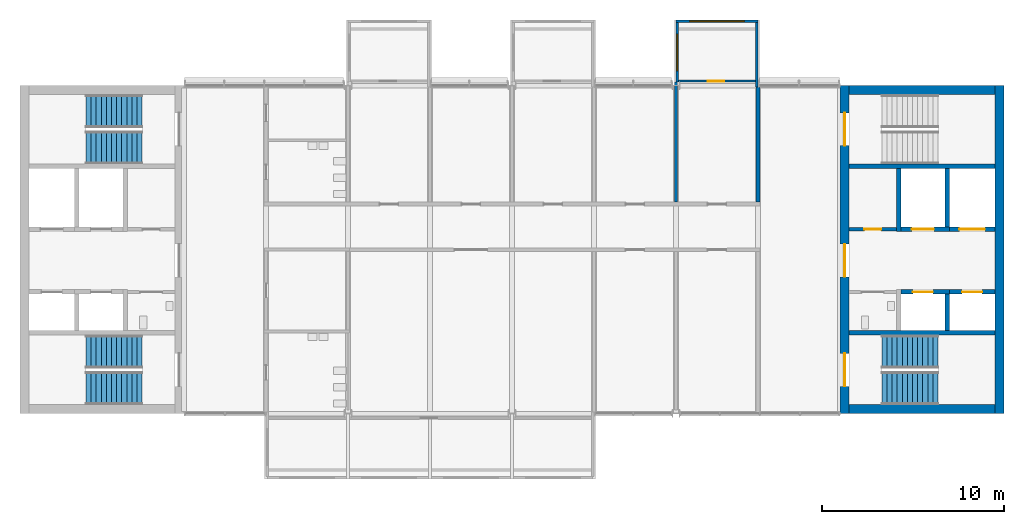
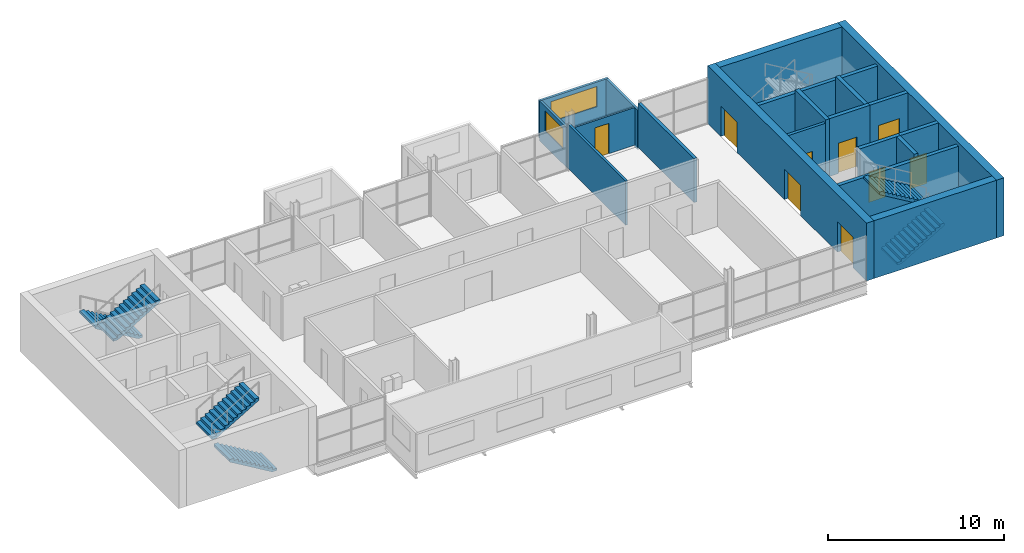
# One storey, part 7 of 11: 20 walls, 9 doors, 6 stair flights, 2 windows, 11 openings, 3 elements without a shape of their own.
"""IFC4 building model written with IfcOpenShell, lengths in metres."""

from ifc_helpers import new_model, si_unit, direction, frame, frame_2d, origin, place, context, subcontext, project, spatial, polyline, rectangle, outline, extrude, material, layer, layer_set, type_object, element, fill, aggregate, save


model = new_model("IFC4")

# Units and contexts
model_context = context("Model", 3, precision=1e-05, world=origin(), true_north=direction((0.0, 1.0)))
body_context = subcontext(model_context, "Body", "Model", "MODEL_VIEW")
ifc_project = project(units=[si_unit("LENGTHUNIT", "METRE"), si_unit("AREAUNIT", "SQUARE_METRE"), si_unit("VOLUMEUNIT", "CUBIC_METRE"), si_unit("PLANEANGLEUNIT", "RADIAN"), si_unit("MASSUNIT", "GRAM", prefix="KILO")], contexts=[model_context])

# Site, building, storey
site_placement = place(None, origin())
site = spatial("IfcSite", under=ifc_project, at=site_placement, CompositionType="ELEMENT")
building_placement = place(site_placement, origin())
building = spatial("IfcBuilding", under=site, at=building_placement, Name="Corbel Yard City Hall", CompositionType="ELEMENT")
storey_placement = place(building_placement, frame((0.0, 0.0, 39.199951171875)))
storey = spatial("IfcBuildingStorey", under=building, at=storey_placement, Name="L09", CompositionType="ELEMENT", Elevation=39.199951171875)

# Walls
ifc_material_1 = material(Name="Concrete N40 (40 MPa)", Category="concrete")
ifc_layer_1 = layer(ifc_material_1, 0.25)
ifc_layer_set_1 = layer_set([ifc_layer_1], Name="Concrete N40 (40 MPa)")
wall_type_1 = type_object("IfcWallType", Name="IW2", PredefinedType="SOLIDWALL", material=ifc_layer_set_1)
for number, where, z_axis, x_axis, name in (
    (1, (45.5, 103.425048828125, 0.0), (0.0, 0.0, 1.0), (1.0, 0.0, 0.0), "Stair enclosure wall"),
    (2, (45.5, 112.574951171875, 0.0), (0.0, 0.0, 1.0), (1.0, 0.0, 0.0), "Stair enclosure wall"),
):
    element("IfcWall", number, at=place(storey_placement, frame(where, z_axis=z_axis, x_axis=x_axis)), inside=storey, type_object=wall_type_1, Name=name, PredefinedType="SOLIDWALL", context=body_context, shape_type="SweptSolid", body=[
        extrude(rectangle(XDim=8.0, YDim=0.25, at=frame_2d((4.0, 0.0))), origin(), (0.0, 0.0, 1.0), 3.75),
    ])
wall_1_placement = place(storey_placement, frame((50.875, 103.550048828125, 0.0), z_axis=(0.0, 0.0, 1.0), x_axis=(0.0, 1.0, 0.0)))
element("IfcWall", 3, at=wall_1_placement, inside=storey, type_object=wall_type_1, Name="Lift LP25 shaft wall", PredefinedType="SOLIDWALL", context=body_context, shape_type="SweptSolid", body=[
    extrude(rectangle(XDim=2.0, YDim=0.25, at=frame_2d((1.0, 0.0))), origin(), (0.0, 0.0, 1.0), 4.0),
])

# Wall, opening, door
wall_2_placement = place(storey_placement, frame((48.35009765625, 105.675048828125, 0.0), z_axis=(0.0, 0.0, 1.0), x_axis=(1.0, 0.0, 0.0)))
wall_2 = element("IfcWall", 4, at=wall_2_placement, inside=storey, type_object=wall_type_1, Name="Lift LP25 shaft wall", PredefinedType="SOLIDWALL", context=body_context, shape_type="SweptSolid", body=[
    extrude(rectangle(XDim=2.64990234375, YDim=0.25, at=frame_2d((1.324951171875, 0.0))), origin(), (0.0, 0.0, 1.0), 4.0),
])
opening_1_placement = place(wall_2_placement, frame((0.64990234375, 0.0, 0.0)))
opening_1 = element("IfcOpeningElement", 5, at=opening_1_placement, cuts=wall_2, Name="Opening T2-009", PredefinedType="OPENING", context=body_context, shape_type="SweptSolid", body=[
    extrude(rectangle(XDim=1.10009765625, YDim=2.10009765625, at=frame_2d((0.550048828125, 1.050048828125))), frame((0.0, 0.135009765625, 0.0), z_axis=(0.0, -1.0, 0.0), x_axis=(1.0, 0.0, 0.0)), (0.0, 0.0, 1.0), 0.27001953125),
])
ifc_material_2 = material(Name="Stainless steel Grade 316", Category="steel")
door_type_1 = type_object("IfcDoorType", Name="LD1", OperationType="DOUBLE_DOOR_SLIDING", PredefinedType="DOOR", material=ifc_material_2)
door_1_placement = place(opening_1_placement, origin())
door_1 = element("IfcDoor", 6, at=door_1_placement, inside=storey, type_object=door_type_1, Name="Lift LP25 landing door", OperationType="DOUBLE_DOOR_SLIDING", OverallHeight=2.10009765625, OverallWidth=1.10009765625, PredefinedType="DOOR", context=body_context, shape_type="SweptSolid", body=[
    extrude(rectangle(XDim=1.10009765625, YDim=2.10009765625, at=frame_2d((0.550048828125, 1.050048828125))), frame((0.0, 0.02490234375, 0.0), z_axis=(0.0, -1.0, 0.0), x_axis=(1.0, 0.0, 0.0)), (0.0, 0.0, 1.0), 0.050048828125),
])
fill(opening_1, door_1)

wall_3_placement = place(storey_placement, frame((51.0, 105.675048828125, 0.0), z_axis=(0.0, 0.0, 1.0), x_axis=(1.0, 0.0, 0.0)))
wall_3 = element("IfcWall", 7, at=wall_3_placement, inside=storey, type_object=wall_type_1, Name="Lift LP26 shaft wall", PredefinedType="SOLIDWALL", context=body_context, shape_type="SweptSolid", body=[
    extrude(rectangle(XDim=2.5, YDim=0.25, at=frame_2d((1.25, 0.0))), origin(), (0.0, 0.0, 1.0), 4.0),
])
opening_2_placement = place(wall_3_placement, frame((0.699951171875, 0.0, 0.0)))
opening_2 = element("IfcOpeningElement", 8, at=opening_2_placement, cuts=wall_3, Name="Opening T2-010", PredefinedType="OPENING", context=body_context, shape_type="SweptSolid", body=[
    extrude(rectangle(XDim=1.10009765625, YDim=2.10009765625, at=frame_2d((0.550048828125, 1.050048828125))), frame((0.0, 0.135009765625, 0.0), z_axis=(0.0, -1.0, 0.0), x_axis=(1.0, 0.0, 0.0)), (0.0, 0.0, 1.0), 0.27001953125),
])
door_2_placement = place(opening_2_placement, origin())
door_2 = element("IfcDoor", 9, at=door_2_placement, inside=storey, type_object=door_type_1, Name="Lift LP26 landing door", OperationType="DOUBLE_DOOR_SLIDING", OverallHeight=2.10009765625, OverallWidth=1.10009765625, PredefinedType="DOOR", context=body_context, shape_type="SweptSolid", body=[
    extrude(rectangle(XDim=1.10009765625, YDim=2.10009765625, at=frame_2d((0.550048828125, 1.050048828125))), frame((0.0, 0.02490234375, 0.0), z_axis=(0.0, -1.0, 0.0), x_axis=(1.0, 0.0, 0.0)), (0.0, 0.0, 1.0), 0.050048828125),
])
fill(opening_2, door_2)

# Walls
wall_4_placement = place(storey_placement, frame((48.22509765625, 109.0, 0.0), z_axis=(0.0, 0.0, 1.0), x_axis=(0.0, 1.0, 0.0)))
element("IfcWall", 10, at=wall_4_placement, inside=storey, type_object=wall_type_1, Name="Lift LF2 shaft wall", PredefinedType="SOLIDWALL", context=body_context, shape_type="SweptSolid", body=[
    extrude(rectangle(XDim=3.449951171875, YDim=0.25, at=frame_2d((1.72509765625, 0.0))), origin(), (0.0, 0.0, 1.0), 4.0),
])
wall_5_placement = place(storey_placement, frame((50.875, 109.25, 0.0), z_axis=(0.0, 0.0, 1.0), x_axis=(0.0, 1.0, 0.0)))
element("IfcWall", 11, at=wall_5_placement, inside=storey, type_object=wall_type_1, Name="Lift LF2 shaft wall", PredefinedType="SOLIDWALL", context=body_context, shape_type="SweptSolid", body=[
    extrude(rectangle(XDim=3.199951171875, YDim=0.25, at=frame_2d((1.60009765625, 0.0))), origin(), (0.0, 0.0, 1.0), 4.0),
])

# Wall, opening, door
wall_6_placement = place(storey_placement, frame((48.35009765625, 109.125, 0.0), z_axis=(0.0, 0.0, 1.0), x_axis=(1.0, 0.0, 0.0)))
wall_6 = element("IfcWall", 12, at=wall_6_placement, inside=storey, type_object=wall_type_1, Name="Lift LF2 shaft wall", PredefinedType="SOLIDWALL", context=body_context, shape_type="SweptSolid", body=[
    extrude(rectangle(XDim=2.64990234375, YDim=0.25, at=frame_2d((1.324951171875, 0.0))), origin(), (0.0, 0.0, 1.0), 4.0),
])
opening_3_placement = place(wall_6_placement, frame((0.60009765625, 0.0, 0.0)))
opening_3 = element("IfcOpeningElement", 13, at=opening_3_placement, cuts=wall_6, Name="Opening T2-011", PredefinedType="OPENING", context=body_context, shape_type="SweptSolid", body=[
    extrude(rectangle(XDim=1.199951171875, YDim=2.10009765625, at=frame_2d((0.60009765625, 1.050048828125))), frame((0.0, 0.135009765625, 0.0), z_axis=(0.0, -1.0, 0.0), x_axis=(1.0, 0.0, 0.0)), (0.0, 0.0, 1.0), 0.27001953125),
])
door_type_2 = type_object("IfcDoorType", Name="LD2", OperationType="DOUBLE_DOOR_SLIDING", PredefinedType="DOOR", material=ifc_material_2)
door_3_placement = place(opening_3_placement, origin())
door_3 = element("IfcDoor", 14, at=door_3_placement, inside=storey, type_object=door_type_2, Name="Lift LF2 landing door", OperationType="DOUBLE_DOOR_SLIDING", OverallHeight=2.10009765625, OverallWidth=1.199951171875, PredefinedType="DOOR", context=body_context, shape_type="SweptSolid", body=[
    extrude(rectangle(XDim=1.199951171875, YDim=2.10009765625, at=frame_2d((0.60009765625, 1.050048828125))), frame((0.0, 0.02490234375, 0.0), z_axis=(0.0, -1.0, 0.0), x_axis=(1.0, 0.0, 0.0)), (0.0, 0.0, 1.0), 0.050048828125),
])
fill(opening_3, door_3)

wall_7_placement = place(storey_placement, frame((51.0, 109.125, 0.0), z_axis=(0.0, 0.0, 1.0), x_axis=(1.0, 0.0, 0.0)))
wall_7 = element("IfcWall", 15, at=wall_7_placement, inside=storey, type_object=wall_type_1, Name="Lift LG1 shaft wall", PredefinedType="SOLIDWALL", context=body_context, shape_type="SweptSolid", body=[
    extrude(rectangle(XDim=2.5, YDim=0.25, at=frame_2d((1.25, 0.0))), origin(), (0.0, 0.0, 1.0), 4.0),
])
opening_4_placement = place(wall_7_placement, frame((0.550048828125, 0.0, 0.0)))
opening_4 = element("IfcOpeningElement", 16, at=opening_4_placement, cuts=wall_7, Name="Opening T2-012", PredefinedType="OPENING", context=body_context, shape_type="SweptSolid", body=[
    extrude(rectangle(XDim=1.39990234375, YDim=2.39990234375, at=frame_2d((0.699951171875, 1.199951171875))), frame((0.0, 0.135009765625, 0.0), z_axis=(0.0, -1.0, 0.0), x_axis=(1.0, 0.0, 0.0)), (0.0, 0.0, 1.0), 0.27001953125),
])
door_type_3 = type_object("IfcDoorType", Name="LD3", OperationType="DOUBLE_DOOR_SLIDING", PredefinedType="DOOR", material=ifc_material_2)
door_4_placement = place(opening_4_placement, origin())
door_4 = element("IfcDoor", 17, at=door_4_placement, inside=storey, type_object=door_type_3, Name="Lift LG1 landing door", OperationType="DOUBLE_DOOR_SLIDING", OverallHeight=2.39990234375, OverallWidth=1.39990234375, PredefinedType="DOOR", context=body_context, shape_type="SweptSolid", body=[
    extrude(rectangle(XDim=1.39990234375, YDim=2.39990234375, at=frame_2d((0.699951171875, 1.199951171875))), frame((0.0, 0.02490234375, 0.0), z_axis=(0.0, -1.0, 0.0), x_axis=(1.0, 0.0, 0.0)), (0.0, 0.0, 1.0), 0.050048828125),
])
fill(opening_4, door_4)

# Wall, opening, window
ifc_material_3 = material(Name="Anodised aluminium", Category="aluminium")
ifc_layer_2 = layer(ifc_material_3, 0.02392578125)
ifc_material_4 = material(Name="Steel Grade G550 (550 MPa yield)", Category="steel")
ifc_layer_3 = layer(ifc_material_4, 0.10009765625)
ifc_material_5 = material(Name="Gypsum plasterboard", Category="gypsum")
ifc_layer_4 = layer(ifc_material_5, 0.02587890625)
ifc_layer_set_2 = layer_set([ifc_layer_2, ifc_layer_3, ifc_layer_4], Name="Steel Grade G550 (550 MPa yield)")
wall_type_2 = type_object("IfcWallType", Name="PD1", PredefinedType="SOLIDWALL", material=ifc_layer_set_2)
wall_8_placement = place(storey_placement, frame((36.0, 120.52490234375, 0.0), z_axis=(0.0, 0.0, 1.0), x_axis=(1.0, 0.0, 0.0)))
wall_8 = element("IfcWall", 18, at=wall_8_placement, inside=storey, type_object=wall_type_2, Name="Pod outer wall L09", PredefinedType="SOLIDWALL", context=body_context, shape_type="SweptSolid", body=[
    extrude(rectangle(XDim=4.5, YDim=0.14990234375, at=frame_2d((2.25, 0.0))), origin(), (0.0, 0.0, 1.0), 2.60009765625),
])
opening_5_placement = place(wall_8_placement, frame((0.75, 0.0, 0.89990234375)))
opening_5 = element("IfcOpeningElement", 19, at=opening_5_placement, cuts=wall_8, Name="Opening WN5", PredefinedType="OPENING", context=body_context, shape_type="SweptSolid", body=[
    extrude(rectangle(XDim=3.0, YDim=1.39990234375, at=frame_2d((1.5, 0.699951171875))), frame((0.0, 0.0849609375, 0.0), z_axis=(0.0, -1.0, 0.0), x_axis=(1.0, 0.0, 0.0)), (0.0, 0.0, 1.0), 0.169921875),
])
ifc_material_6 = material(Name="Aluminium frame, double glazed low-e glass", Category="aluminium")
window_type_1 = type_object("IfcWindowType", Name="WN5", PartitioningType="SINGLE_PANEL", PredefinedType="WINDOW", material=ifc_material_6)
window_1_placement = place(opening_5_placement, origin())
window_1 = element("IfcWindow", 20, at=window_1_placement, inside=storey, type_object=window_type_1, Name="Window WN5 L09", OverallHeight=1.39990234375, OverallWidth=3.0, PartitioningType="SINGLE_PANEL", PredefinedType="WINDOW", context=body_context, shape_type="SweptSolid", body=[
    extrude(rectangle(XDim=3.0, YDim=1.39990234375, at=frame_2d((1.5, 0.699951171875))), frame((0.0, 0.030029296875, 0.0), z_axis=(0.0, -1.0, 0.0), x_axis=(1.0, 0.0, 0.0)), (0.0, 0.0, 1.0), 0.06005859375),
])
fill(opening_5, window_1)

# Wall, opening, door
ifc_layer_5 = layer(ifc_material_5, 0.01806640625)
ifc_layer_6 = layer(ifc_material_4, 0.06396484375)
ifc_layer_7 = layer(ifc_material_5, 0.01806640625)
ifc_layer_set_3 = layer_set([ifc_layer_5, ifc_layer_6, ifc_layer_7], Name="Steel Grade G550 (550 MPa yield)")
wall_type_3 = type_object("IfcWallType", Name="PD2", PredefinedType="PARTITIONING", material=ifc_layer_set_3)
wall_9_placement = place(storey_placement, frame((36.14990234375, 117.25, 0.0), z_axis=(0.0, 0.0, 1.0), x_axis=(1.0, 0.0, 0.0)))
wall_9 = element("IfcWall", 21, at=wall_9_placement, inside=storey, type_object=wall_type_3, Name="Pod inner wall L09", PredefinedType="PARTITIONING", context=body_context, shape_type="SweptSolid", body=[
    extrude(rectangle(XDim=4.2001953125, YDim=0.10009765625, at=frame_2d((2.10009765625, 0.0))), origin(), (0.0, 0.0, 1.0), 2.60009765625),
])
opening_6_placement = place(wall_9_placement, frame((1.60009765625, 0.0, 0.0)))
opening_6 = element("IfcOpeningElement", 22, at=opening_6_placement, cuts=wall_9, Name="Opening T2-004", PredefinedType="OPENING", context=body_context, shape_type="SweptSolid", body=[
    extrude(rectangle(XDim=0.89990234375, YDim=2.10009765625, at=frame_2d((0.449951171875, 1.050048828125))), frame((0.0, 0.06005859375, 0.0), z_axis=(0.0, -1.0, 0.0), x_axis=(1.0, 0.0, 0.0)), (0.0, 0.0, 1.0), 0.1201171875),
])
ifc_material_7 = material(Name="Timber, solid core", Category="wood")
door_type_4 = type_object("IfcDoorType", Name="XD6", OperationType="SINGLE_SWING_LEFT", PredefinedType="DOOR", material=ifc_material_7)
door_5_placement = place(opening_6_placement, origin())
door_5 = element("IfcDoor", 23, at=door_5_placement, inside=storey, type_object=door_type_4, Name="Pod door L09", OperationType="SINGLE_SWING_LEFT", OverallHeight=2.10009765625, OverallWidth=0.89990234375, PredefinedType="DOOR", context=body_context, shape_type="SweptSolid", body=[
    extrude(rectangle(XDim=0.89990234375, YDim=2.10009765625, at=frame_2d((0.449951171875, 1.050048828125))), frame((0.0, 0.02490234375, 0.0), z_axis=(0.0, -1.0, 0.0), x_axis=(1.0, 0.0, 0.0)), (0.0, 0.0, 1.0), 0.050048828125),
])
fill(opening_6, door_5)

# Wall, opening, window
ifc_layer_8 = layer(ifc_material_3, 0.02392578125)
ifc_layer_9 = layer(ifc_material_4, 0.10009765625)
ifc_layer_10 = layer(ifc_material_5, 0.02587890625)
ifc_layer_set_4 = layer_set([ifc_layer_8, ifc_layer_9, ifc_layer_10], Name="Steel Grade G550 (550 MPa yield)")
wall_type_4 = type_object("IfcWallType", Name="PD3", PredefinedType="SOLIDWALL", material=ifc_layer_set_4)
wall_10_placement = place(storey_placement, frame((36.074951171875, 120.449951171875, -0.14990234375), z_axis=(0.0, 0.0, 1.0), x_axis=(0.0, -1.0, 0.0)))
wall_10 = element("IfcWall", 24, at=wall_10_placement, inside=storey, type_object=wall_type_4, Name="Pod side wall L09", PredefinedType="SOLIDWALL", context=body_context, shape_type="SweptSolid", body=[
    extrude(rectangle(XDim=3.25, YDim=0.14990234375, at=frame_2d((1.625, 0.0))), origin(), (0.0, 0.0, 1.0), 2.75),
])
opening_7_placement = place(wall_10_placement, frame((0.625, 0.0, 1.050048828125)))
opening_7 = element("IfcOpeningElement", 25, at=opening_7_placement, cuts=wall_10, Name="Opening WN6", PredefinedType="OPENING", context=body_context, shape_type="SweptSolid", body=[
    extrude(rectangle(XDim=2.0, YDim=1.39990234375, at=frame_2d((1.0, 0.699951171875))), frame((0.0, 0.0849609375, 0.0), z_axis=(0.0, -1.0, 0.0), x_axis=(1.0, 0.0, 0.0)), (0.0, 0.0, 1.0), 0.169921875),
])
window_type_2 = type_object("IfcWindowType", Name="WN6", PartitioningType="SINGLE_PANEL", PredefinedType="WINDOW", material=ifc_material_6)
window_2_placement = place(opening_7_placement, origin())
window_2 = element("IfcWindow", 26, at=window_2_placement, inside=storey, type_object=window_type_2, Name="Window WN6 L09", OverallHeight=1.39990234375, OverallWidth=2.0, PartitioningType="SINGLE_PANEL", PredefinedType="WINDOW", context=body_context, shape_type="SweptSolid", body=[
    extrude(rectangle(XDim=2.0, YDim=1.39990234375, at=frame_2d((1.0, 0.699951171875))), frame((0.0, 0.030029296875, 0.0), z_axis=(0.0, -1.0, 0.0), x_axis=(1.0, 0.0, 0.0)), (0.0, 0.0, 1.0), 0.06005859375),
])
fill(opening_7, window_2)

# Walls
wall_11_placement = place(storey_placement, frame((40.425048828125, 120.449951171875, -0.14990234375), z_axis=(0.0, 0.0, 1.0), x_axis=(0.0, -1.0, 0.0)))
element("IfcWall", 27, at=wall_11_placement, inside=storey, type_object=wall_type_4, Name="Pod side wall L09", PredefinedType="SOLIDWALL", context=body_context, shape_type="SweptSolid", body=[
    extrude(rectangle(XDim=3.5400390625, YDim=0.14990234375, at=frame_2d((1.77001953125, 0.0))), origin(), (0.0, 0.0, 1.0), 2.75),
])
ifc_layer_11 = layer(ifc_material_5, 0.031982421875)
ifc_layer_12 = layer(ifc_material_4, 0.135986328125)
ifc_layer_13 = layer(ifc_material_5, 0.031982421875)
ifc_layer_set_5 = layer_set([ifc_layer_11, ifc_layer_12, ifc_layer_13], Name="Steel Grade G550 (550 MPa yield)")
wall_type_5 = type_object("IfcWallType", Name="PT2", PredefinedType="PARTITIONING", material=ifc_layer_set_5)
wall_12_placement = place(storey_placement, frame((40.5, 110.60009765625, 0.0), z_axis=(0.0, 0.0, 1.0), x_axis=(0.0, 1.0, 0.0)))
element("IfcWall", 28, at=wall_12_placement, inside=storey, type_object=wall_type_5, Name="Acoustic wall", PredefinedType="PARTITIONING", context=body_context, shape_type="SweptSolid", body=[
    extrude(rectangle(XDim=6.309814453125, YDim=0.199951171875, at=frame_2d((3.15478515625, 0.0))), origin(), (0.0, 0.0, 1.0), 3.050048828125),
])

# Wall, opening, door
ifc_material_8 = material(Name="Concrete block", Category="concrete")
ifc_layer_14 = layer(ifc_material_8, 0.18994140625)
ifc_layer_set_6 = layer_set([ifc_layer_14], Name="Concrete block")
wall_type_6 = type_object("IfcWallType", Name="PT4", PredefinedType="PARTITIONING", material=ifc_layer_set_6)
wall_13_placement = place(storey_placement, frame((45.5, 109.125, 0.0), z_axis=(0.0, 0.0, 1.0), x_axis=(1.0, 0.0, 0.0)))
wall_13 = element("IfcWall", 29, at=wall_13_placement, inside=storey, type_object=wall_type_6, Name="Riser wall", PredefinedType="PARTITIONING", context=body_context, shape_type="SweptSolid", body=[
    extrude(rectangle(XDim=2.60009765625, YDim=0.18994140625, at=frame_2d((1.300048828125, 0.0))), origin(), (0.0, 0.0, 1.0), 3.75),
])
opening_8_placement = place(wall_13_placement, frame((0.840087890625, 0.0, 0.0)))
opening_8 = element("IfcOpeningElement", 30, at=opening_8_placement, cuts=wall_13, Name="Opening T2-034", PredefinedType="OPENING", context=body_context, shape_type="SweptSolid", body=[
    extrude(rectangle(XDim=0.919921875, YDim=2.10009765625, at=frame_2d((0.4599609375, 1.050048828125))), frame((0.0, 0.10498046875, 0.0), z_axis=(0.0, -1.0, 0.0), x_axis=(1.0, 0.0, 0.0)), (0.0, 0.0, 1.0), 0.2099609375),
])
ifc_material_9 = material(Name="Steel Grade G250", Category="steel")
door_type_5 = type_object("IfcDoorType", Name="FS4", OperationType="SINGLE_SWING_LEFT", PredefinedType="DOOR", material=ifc_material_9)
door_6_placement = place(opening_8_placement, origin())
door_6 = element("IfcDoor", 31, at=door_6_placement, inside=storey, type_object=door_type_5, Name="Door riser East", OperationType="SINGLE_SWING_LEFT", OverallHeight=2.10009765625, OverallWidth=0.919921875, PredefinedType="DOOR", context=body_context, shape_type="SweptSolid", body=[
    extrude(rectangle(XDim=0.919921875, YDim=2.10009765625, at=frame_2d((0.4599609375, 1.050048828125))), frame((0.0, 0.02490234375, 0.0), z_axis=(0.0, -1.0, 0.0), x_axis=(1.0, 0.0, 0.0)), (0.0, 0.0, 1.0), 0.050048828125),
])
fill(opening_8, door_6)

# Wall
ifc_layer_15 = layer(ifc_material_5, 0.031982421875)
ifc_layer_16 = layer(ifc_material_4, 0.0859375)
ifc_layer_17 = layer(ifc_material_5, 0.031982421875)
ifc_layer_set_7 = layer_set([ifc_layer_15, ifc_layer_16, ifc_layer_17], Name="Steel Grade G550 (550 MPa yield)")
wall_type_7 = type_object("IfcWallType", Name="PT7", PredefinedType="PARTITIONING", material=ifc_layer_set_7)
wall_14_placement = place(storey_placement, frame((36.0, 110.60009765625, 0.0), z_axis=(0.0, 0.0, 1.0), x_axis=(0.0, 1.0, 0.0)))
element("IfcWall", 32, at=wall_14_placement, inside=storey, type_object=wall_type_7, Name="Suite partition", PredefinedType="PARTITIONING", context=body_context, shape_type="SweptSolid", body=[
    extrude(rectangle(XDim=6.599853515625, YDim=0.14990234375, at=frame_2d((3.2998046875, 0.0))), origin(), (0.0, 0.0, 1.0), 3.050048828125),
])

# Wall, openings, doors
ifc_material_10 = material(Name="Concrete N50 (50 MPa)", Category="concrete")
ifc_layer_18 = layer(ifc_material_10, 0.5)
ifc_layer_set_8 = layer_set([ifc_layer_18], Name="Concrete N50 (50 MPa)")
wall_type_8 = type_object("IfcWallType", Name="Trunk wall 500", PredefinedType="SHEAR", material=ifc_layer_set_8)
wall_15_placement = place(storey_placement, frame((45.25, 99.0, 0.0), z_axis=(0.0, 0.0, 1.0), x_axis=(0.0, 1.0, 0.0)))
wall_15 = element("IfcWall", 33, at=wall_15_placement, inside=storey, type_object=wall_type_8, Name="Trunk E west wall", PredefinedType="SHEAR", context=body_context, shape_type="SweptSolid", body=[
    extrude(rectangle(XDim=18.0, YDim=0.5, at=frame_2d((9.0, 0.0))), origin(), (0.0, 0.0, 1.0), 4.0),
])
opening_9_placement = place(wall_15_placement, frame((1.5, 0.0, 0.0)))
opening_9 = element("IfcOpeningElement", 34, at=opening_9_placement, cuts=wall_15, Name="Opening T2-030", PredefinedType="OPENING", context=body_context, shape_type="SweptSolid", body=[
    extrude(rectangle(XDim=1.800048828125, YDim=2.10009765625, at=frame_2d((0.89990234375, 1.050048828125))), frame((0.0, 0.260009765625, 0.0), z_axis=(0.0, -1.0, 0.0), x_axis=(1.0, 0.0, 0.0)), (0.0, 0.0, 1.0), 0.52001953125),
])
opening_10_placement = place(wall_15_placement, frame((14.699951171875, 0.0, 0.0)))
opening_10 = element("IfcOpeningElement", 35, at=opening_10_placement, cuts=wall_15, Name="Opening T2-031", PredefinedType="OPENING", context=body_context, shape_type="SweptSolid", body=[
    extrude(rectangle(XDim=1.800048828125, YDim=2.10009765625, at=frame_2d((0.89990234375, 1.050048828125))), frame((0.0, 0.260009765625, 0.0), z_axis=(0.0, -1.0, 0.0), x_axis=(1.0, 0.0, 0.0)), (0.0, 0.0, 1.0), 0.52001953125),
])
opening_11_placement = place(wall_15_placement, frame((7.5, 0.0, 0.0)))
opening_11 = element("IfcOpeningElement", 36, at=opening_11_placement, cuts=wall_15, Name="Opening T2-032", PredefinedType="OPENING", context=body_context, shape_type="SweptSolid", body=[
    extrude(rectangle(XDim=1.800048828125, YDim=2.10009765625, at=frame_2d((0.89990234375, 1.050048828125))), frame((0.0, 0.260009765625, 0.0), z_axis=(0.0, -1.0, 0.0), x_axis=(1.0, 0.0, 0.0)), (0.0, 0.0, 1.0), 0.52001953125),
])
door_type_6 = type_object("IfcDoorType", Name="FS3", OperationType="DOUBLE_DOOR_SINGLE_SWING", PredefinedType="DOOR", material=ifc_material_9)
door_7_placement = place(opening_9_placement, origin())
door_7 = element("IfcDoor", 37, at=door_7_placement, inside=storey, type_object=door_type_6, Name="Door ST-E1", OperationType="DOUBLE_DOOR_SINGLE_SWING", OverallHeight=2.10009765625, OverallWidth=1.800048828125, PredefinedType="DOOR", context=body_context, shape_type="SweptSolid", body=[
    extrude(rectangle(XDim=1.800048828125, YDim=2.10009765625, at=frame_2d((0.89990234375, 1.050048828125))), frame((0.0, 0.02490234375, 0.0), z_axis=(0.0, -1.0, 0.0), x_axis=(1.0, 0.0, 0.0)), (0.0, 0.0, 1.0), 0.050048828125),
])
fill(opening_9, door_7)
door_8_placement = place(opening_10_placement, origin())
door_8 = element("IfcDoor", 38, at=door_8_placement, inside=storey, type_object=door_type_6, Name="Door ST-E2", OperationType="DOUBLE_DOOR_SINGLE_SWING", OverallHeight=2.10009765625, OverallWidth=1.800048828125, PredefinedType="DOOR", context=body_context, shape_type="SweptSolid", body=[
    extrude(rectangle(XDim=1.800048828125, YDim=2.10009765625, at=frame_2d((0.89990234375, 1.050048828125))), frame((0.0, 0.02490234375, 0.0), z_axis=(0.0, -1.0, 0.0), x_axis=(1.0, 0.0, 0.0)), (0.0, 0.0, 1.0), 0.050048828125),
])
fill(opening_10, door_8)
door_9_placement = place(opening_11_placement, origin())
door_9 = element("IfcDoor", 39, at=door_9_placement, inside=storey, type_object=door_type_6, Name="Door lift lobby East", OperationType="DOUBLE_DOOR_SINGLE_SWING", OverallHeight=2.10009765625, OverallWidth=1.800048828125, PredefinedType="DOOR", context=body_context, shape_type="SweptSolid", body=[
    extrude(rectangle(XDim=1.800048828125, YDim=2.10009765625, at=frame_2d((0.89990234375, 1.050048828125))), frame((0.0, 0.02490234375, 0.0), z_axis=(0.0, -1.0, 0.0), x_axis=(1.0, 0.0, 0.0)), (0.0, 0.0, 1.0), 0.050048828125),
])
fill(opening_11, door_9)

# Walls
wall_16_placement = place(storey_placement, frame((53.75, 99.0, 0.0), z_axis=(0.0, 0.0, 1.0), x_axis=(0.0, 1.0, 0.0)))
element("IfcWall", 40, at=wall_16_placement, inside=storey, type_object=wall_type_8, Name="Trunk E east wall", PredefinedType="SHEAR", context=body_context, shape_type="SweptSolid", body=[
    extrude(rectangle(XDim=18.0, YDim=0.5, at=frame_2d((9.0, 0.0))), origin(), (0.0, 0.0, 1.0), 4.0),
])
for number, where, z_axis, x_axis, name in (
    (41, (45.5, 99.25, 0.0), (0.0, 0.0, 1.0), (1.0, 0.0, 0.0), "Trunk E south wall"),
    (42, (45.5, 116.75, 0.0), (0.0, 0.0, 1.0), (1.0, 0.0, 0.0), "Trunk E north wall"),
):
    element("IfcWall", number, at=place(storey_placement, frame(where, z_axis=z_axis, x_axis=x_axis)), inside=storey, type_object=wall_type_8, Name=name, PredefinedType="SHEAR", context=body_context, shape_type="SweptSolid", body=[
        extrude(rectangle(XDim=8.0, YDim=0.5, at=frame_2d((4.0, 0.0))), origin(), (0.0, 0.0, 1.0), 4.0),
    ])

# Stair, stair flights
stair_type = type_object("IfcStairType", Name="ST4", PredefinedType="HALF_TURN_STAIR", material=ifc_material_1)
stair_1_placement = place(storey_placement, origin())
stair_1 = element("IfcStair", 43, at=stair_1_placement, inside=storey, type_object=stair_type, Name="Exit stair ST-W1 L09", PredefinedType="HALF_TURN_STAIR")
stair_flight_type = type_object("IfcStairFlightType", Name="FL4", PredefinedType="STRAIGHT", material=ifc_material_1)
stair_flight_1_placement = place(storey_placement, frame((6.699951171875, 100.39990234375, 0.0), z_axis=(0.0, 0.0, 1.0), x_axis=(-1.0, 0.0, 0.0)))
stair_flight_1 = element("IfcStairFlight", 44, at=stair_flight_1_placement, type_object=stair_flight_type, Name="ST-W1 flight 1", NumberOfRisers=12, NumberOfTreads=11, PredefinedType="STRAIGHT", RiserHeight=0.166667, TreadLength=0.28, context=body_context, shape_type="SweptSolid", body=[
    extrude(outline(polyline([(0.0, 0.0), (0.0, 0.166748046875), (0.280029296875, 0.166748046875), (0.280029296875, 0.333251953125), (0.56005859375, 0.333251953125), (0.56005859375, 0.5), (0.840087890625, 0.5), (0.840087890625, 0.666748046875), (1.1201171875, 0.666748046875), (1.1201171875, 0.833251953125), (1.39990234375, 0.833251953125), (1.39990234375, 1.0), (1.679931640625, 1.0), (1.679931640625, 1.166748046875), (1.9599609375, 1.166748046875), (1.9599609375, 1.333251953125), (2.239990234375, 1.333251953125), (2.239990234375, 1.5), (2.52001953125, 1.5), (2.52001953125, 1.666748046875), (2.800048828125, 1.666748046875), (2.800048828125, 1.833251953125), (3.080078125, 1.833251953125), (3.080078125, 2.0), (3.080078125, 1.658935546875), (0.29296875, 0.0), (0.0, 0.0)])), frame((0.0, 0.89990234375, 0.0), z_axis=(0.0, -1.0, 0.0), x_axis=(1.0, 0.0, 0.0)), (0.0, 0.0, 1.0), 1.800048828125),
])
stair_flight_2_placement = place(storey_placement, frame((3.6201171875, 102.39990234375, 2.0), z_axis=(0.0, 0.0, 1.0), x_axis=(1.0, 0.0, 0.0)))
stair_flight_2 = element("IfcStairFlight", 45, at=stair_flight_2_placement, type_object=stair_flight_type, Name="ST-W1 flight 2", NumberOfRisers=12, NumberOfTreads=11, PredefinedType="STRAIGHT", RiserHeight=0.166667, TreadLength=0.28, context=body_context, shape_type="SweptSolid", body=[
    extrude(outline(polyline([(0.0, 0.0), (0.0, 0.166748046875), (0.280029296875, 0.166748046875), (0.280029296875, 0.333251953125), (0.56005859375, 0.333251953125), (0.56005859375, 0.5), (0.840087890625, 0.5), (0.840087890625, 0.666748046875), (1.1201171875, 0.666748046875), (1.1201171875, 0.833251953125), (1.39990234375, 0.833251953125), (1.39990234375, 1.0), (1.679931640625, 1.0), (1.679931640625, 1.166748046875), (1.9599609375, 1.166748046875), (1.9599609375, 1.333251953125), (2.239990234375, 1.333251953125), (2.239990234375, 1.5), (2.52001953125, 1.5), (2.52001953125, 1.666748046875), (2.800048828125, 1.666748046875), (2.800048828125, 1.833251953125), (3.080078125, 1.833251953125), (3.080078125, 2.0), (3.080078125, 1.658935546875), (0.29296875, 0.0), (0.0, 0.0)])), frame((0.0, 0.89990234375, 0.0), z_axis=(0.0, -1.0, 0.0), x_axis=(1.0, 0.0, 0.0)), (0.0, 0.0, 1.0), 1.800048828125),
])
aggregate(stair_1, [stair_flight_1, stair_flight_2])

stair_2_placement = place(storey_placement, origin())
stair_2 = element("IfcStair", 46, at=stair_2_placement, inside=storey, type_object=stair_type, Name="Exit stair ST-W2 L09", PredefinedType="HALF_TURN_STAIR")
stair_flight_3_placement = place(storey_placement, frame((6.699951171875, 115.60009765625, 0.0), z_axis=(0.0, 0.0, 1.0), x_axis=(-1.0, 0.0, 0.0)))
stair_flight_3 = element("IfcStairFlight", 47, at=stair_flight_3_placement, type_object=stair_flight_type, Name="ST-W2 flight 1", NumberOfRisers=12, NumberOfTreads=11, PredefinedType="STRAIGHT", RiserHeight=0.166667, TreadLength=0.28, context=body_context, shape_type="SweptSolid", body=[
    extrude(outline(polyline([(0.0, 0.0), (0.0, 0.166748046875), (0.280029296875, 0.166748046875), (0.280029296875, 0.333251953125), (0.56005859375, 0.333251953125), (0.56005859375, 0.5), (0.840087890625, 0.5), (0.840087890625, 0.666748046875), (1.1201171875, 0.666748046875), (1.1201171875, 0.833251953125), (1.39990234375, 0.833251953125), (1.39990234375, 1.0), (1.679931640625, 1.0), (1.679931640625, 1.166748046875), (1.9599609375, 1.166748046875), (1.9599609375, 1.333251953125), (2.239990234375, 1.333251953125), (2.239990234375, 1.5), (2.52001953125, 1.5), (2.52001953125, 1.666748046875), (2.800048828125, 1.666748046875), (2.800048828125, 1.833251953125), (3.080078125, 1.833251953125), (3.080078125, 2.0), (3.080078125, 1.658935546875), (0.29296875, 0.0), (0.0, 0.0)])), frame((0.0, 0.89990234375, 0.0), z_axis=(0.0, -1.0, 0.0), x_axis=(1.0, 0.0, 0.0)), (0.0, 0.0, 1.0), 1.800048828125),
])
stair_flight_4_placement = place(storey_placement, frame((3.6201171875, 113.60009765625, 2.0), z_axis=(0.0, 0.0, 1.0), x_axis=(1.0, 0.0, 0.0)))
stair_flight_4 = element("IfcStairFlight", 48, at=stair_flight_4_placement, type_object=stair_flight_type, Name="ST-W2 flight 2", NumberOfRisers=12, NumberOfTreads=11, PredefinedType="STRAIGHT", RiserHeight=0.166667, TreadLength=0.28, context=body_context, shape_type="SweptSolid", body=[
    extrude(outline(polyline([(0.0, 0.0), (0.0, 0.166748046875), (0.280029296875, 0.166748046875), (0.280029296875, 0.333251953125), (0.56005859375, 0.333251953125), (0.56005859375, 0.5), (0.840087890625, 0.5), (0.840087890625, 0.666748046875), (1.1201171875, 0.666748046875), (1.1201171875, 0.833251953125), (1.39990234375, 0.833251953125), (1.39990234375, 1.0), (1.679931640625, 1.0), (1.679931640625, 1.166748046875), (1.9599609375, 1.166748046875), (1.9599609375, 1.333251953125), (2.239990234375, 1.333251953125), (2.239990234375, 1.5), (2.52001953125, 1.5), (2.52001953125, 1.666748046875), (2.800048828125, 1.666748046875), (2.800048828125, 1.833251953125), (3.080078125, 1.833251953125), (3.080078125, 2.0), (3.080078125, 1.658935546875), (0.29296875, 0.0), (0.0, 0.0)])), frame((0.0, 0.89990234375, 0.0), z_axis=(0.0, -1.0, 0.0), x_axis=(1.0, 0.0, 0.0)), (0.0, 0.0, 1.0), 1.800048828125),
])
aggregate(stair_2, [stair_flight_3, stair_flight_4])

stair_3_placement = place(storey_placement, origin())
stair_3 = element("IfcStair", 49, at=stair_3_placement, inside=storey, type_object=stair_type, Name="Exit stair ST-E1 L09", PredefinedType="HALF_TURN_STAIR")
stair_flight_5_placement = place(storey_placement, frame((47.300048828125, 100.39990234375, 0.0), z_axis=(0.0, 0.0, 1.0), x_axis=(1.0, 0.0, 0.0)))
stair_flight_5 = element("IfcStairFlight", 50, at=stair_flight_5_placement, type_object=stair_flight_type, Name="ST-E1 flight 1", NumberOfRisers=12, NumberOfTreads=11, PredefinedType="STRAIGHT", RiserHeight=0.166667, TreadLength=0.28, context=body_context, shape_type="SweptSolid", body=[
    extrude(outline(polyline([(0.0, 0.0), (0.0, 0.166748046875), (0.280029296875, 0.166748046875), (0.280029296875, 0.333251953125), (0.56005859375, 0.333251953125), (0.56005859375, 0.5), (0.840087890625, 0.5), (0.840087890625, 0.666748046875), (1.1201171875, 0.666748046875), (1.1201171875, 0.833251953125), (1.39990234375, 0.833251953125), (1.39990234375, 1.0), (1.679931640625, 1.0), (1.679931640625, 1.166748046875), (1.9599609375, 1.166748046875), (1.9599609375, 1.333251953125), (2.239990234375, 1.333251953125), (2.239990234375, 1.5), (2.52001953125, 1.5), (2.52001953125, 1.666748046875), (2.800048828125, 1.666748046875), (2.800048828125, 1.833251953125), (3.080078125, 1.833251953125), (3.080078125, 2.0), (3.080078125, 1.658935546875), (0.29296875, 0.0), (0.0, 0.0)])), frame((0.0, 0.89990234375, 0.0), z_axis=(0.0, -1.0, 0.0), x_axis=(1.0, 0.0, 0.0)), (0.0, 0.0, 1.0), 1.800048828125),
])
stair_flight_6_placement = place(storey_placement, frame((50.3798828125, 102.39990234375, 2.0), z_axis=(0.0, 0.0, 1.0), x_axis=(-1.0, 0.0, 0.0)))
stair_flight_6 = element("IfcStairFlight", 51, at=stair_flight_6_placement, type_object=stair_flight_type, Name="ST-E1 flight 2", NumberOfRisers=12, NumberOfTreads=11, PredefinedType="STRAIGHT", RiserHeight=0.166667, TreadLength=0.28, context=body_context, shape_type="SweptSolid", body=[
    extrude(outline(polyline([(0.0, 0.0), (0.0, 0.166748046875), (0.280029296875, 0.166748046875), (0.280029296875, 0.333251953125), (0.56005859375, 0.333251953125), (0.56005859375, 0.5), (0.840087890625, 0.5), (0.840087890625, 0.666748046875), (1.1201171875, 0.666748046875), (1.1201171875, 0.833251953125), (1.39990234375, 0.833251953125), (1.39990234375, 1.0), (1.679931640625, 1.0), (1.679931640625, 1.166748046875), (1.9599609375, 1.166748046875), (1.9599609375, 1.333251953125), (2.239990234375, 1.333251953125), (2.239990234375, 1.5), (2.52001953125, 1.5), (2.52001953125, 1.666748046875), (2.800048828125, 1.666748046875), (2.800048828125, 1.833251953125), (3.080078125, 1.833251953125), (3.080078125, 2.0), (3.080078125, 1.658935546875), (0.29296875, 0.0), (0.0, 0.0)])), frame((0.0, 0.89990234375, 0.0), z_axis=(0.0, -1.0, 0.0), x_axis=(1.0, 0.0, 0.0)), (0.0, 0.0, 1.0), 1.800048828125),
])
aggregate(stair_3, [stair_flight_5, stair_flight_6])

save(model, "model.ifc")
